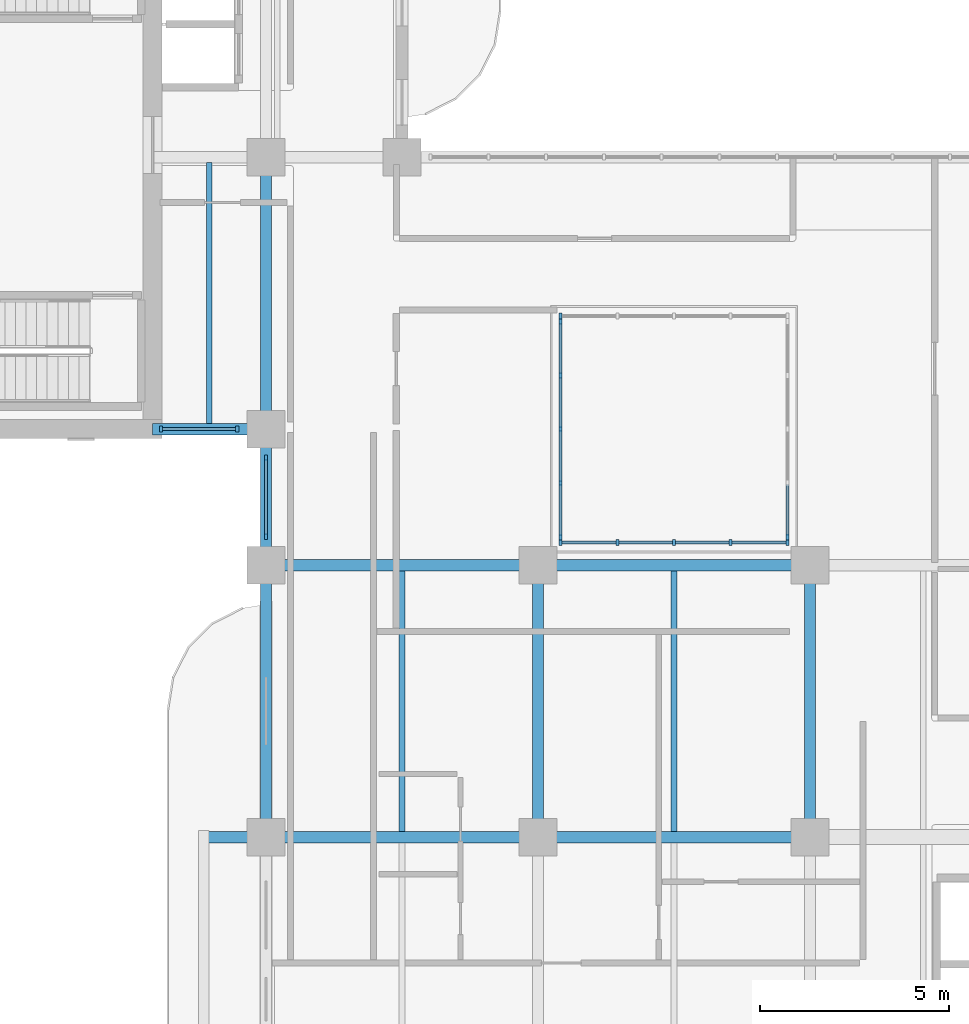
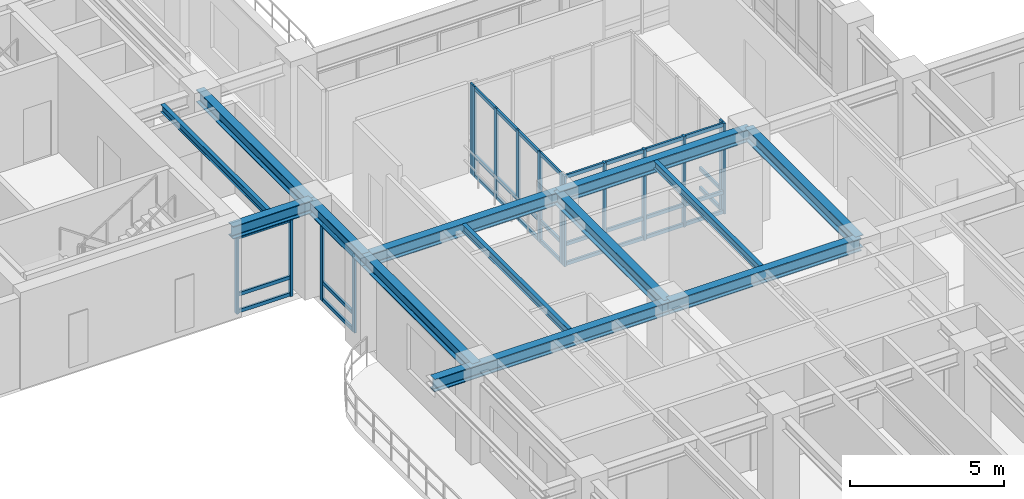
# One storey, part 2 of 21: 48 members, 13 beams, 6 elements without a shape of their own.
"""IFC4 building model written with IfcOpenShell, lengths in metres."""

from ifc_helpers import new_model, si_unit, derived_unit, direction, frame, origin, origin_2d, place, context, subcontext, project, spatial, rectangle, i_section, extrude, source, transform, mapped, material, layer, layer_set, material_profile, profile_set, type_object, type_shapes, element, aggregate, save


model = new_model("IFC4")

# Units and contexts
model_context = context("Model", 3, precision=1e-05, world=origin(), true_north=direction((0.0, 1.0)))
body_context = subcontext(model_context, "Body", "Model", "MODEL_VIEW")
ifc_project = project(units=[si_unit("LENGTHUNIT", "METRE"), si_unit("AREAUNIT", "SQUARE_METRE"), si_unit("VOLUMEUNIT", "CUBIC_METRE"), si_unit("PLANEANGLEUNIT", "RADIAN"), si_unit("MASSUNIT", "GRAM", prefix="KILO"), si_unit("THERMODYNAMICTEMPERATUREUNIT", "KELVIN"), si_unit("POWERUNIT", "WATT"), derived_unit("THERMALTRANSMITTANCEUNIT", [(si_unit("POWERUNIT", "WATT"), 1), (si_unit("AREAUNIT", "SQUARE_METRE"), -1), (si_unit("THERMODYNAMICTEMPERATUREUNIT", "KELVIN"), -1)])], contexts=[model_context])

# Site, building, storey
site_placement = place(None, origin())
site = spatial("IfcSite", under=ifc_project, at=site_placement, CompositionType="ELEMENT")
building_placement = place(site_placement, origin())
building = spatial("IfcBuilding", under=site, at=building_placement, Name="Zahravan Archway Hotel and Residences", CompositionType="ELEMENT")
storey_placement = place(building_placement, frame((0.0, 0.0, 169.550048828125)))
storey = spatial("IfcBuildingStorey", under=building, at=storey_placement, Name="L42", CompositionType="ELEMENT", Elevation=169.550048828125)

# Beams
ifc_material_1 = material(Name="Structural Steel S355JR", Category="steel")
ifc_material_profile_1 = material_profile(ifc_material_1, i_section(OverallWidth=0.300048828125, OverallDepth=0.5, WebThickness=0.014404296875, FlangeThickness=0.028076171875, FilletRadius=0.027099609375, at=origin_2d()), Name="HEB 500", Category="steel")
ifc_profile_set_1 = profile_set([ifc_material_profile_1], Name="Structural Steel S355JR")
beam_type_1 = type_object("IfcBeamType", Name="BM-PRI-HEB500", PredefinedType="BEAM", material=ifc_profile_set_1)
shared_shape_1 = source(origin(), body_context, "Body", "SweptSolid", [
    extrude(i_section(OverallWidth=0.300048828125, OverallDepth=0.5, WebThickness=0.014404296875, FlangeThickness=0.028076171875, FilletRadius=0.027099609375, at=origin_2d()), origin(), (0.0, 0.0, 1.0), 7.2001953125),
])
type_shapes(beam_type_1, [shared_shape_1])
for number, where, z_axis, x_axis, name in (
    (1, (14.39990234375, 21.60009765625, 3.349853515625), (1.0, 0.0, 0.0), (0.0, 1.0, 0.0), "L42 Primary Girder EW-11"),
    (2, (14.39990234375, 14.39990234375, 3.349853515625), (0.0, 1.0, 0.0), (-1.0, 0.0, 0.0), "L42 Primary Girder NS-30"),
    (3, (21.60009765625, 14.39990234375, 3.349853515625), (0.0, 1.0, 0.0), (-1.0, 0.0, 0.0), "L42 Primary Girder NS-37"),
    (4, (28.800048828125, 14.39990234375, 3.349853515625), (0.0, 1.0, 0.0), (-1.0, 0.0, 0.0), "L42 Primary Girder NS-40"),
):
    element("IfcBeam", number, at=place(storey_placement, frame(where, z_axis=z_axis, x_axis=x_axis)), inside=storey, type_object=beam_type_1, Name=name, PredefinedType="BEAM", context=body_context, shape_type="MappedRepresentation", body=[
        mapped(shared_shape_1, transform((0.0, 0.0, 0.0), scale=1.0)),
    ])
shared_shape_2 = source(origin(), body_context, "Body", "SweptSolid", [
    extrude(i_section(OverallWidth=0.300048828125, OverallDepth=0.5, WebThickness=0.014404296875, FlangeThickness=0.028076171875, FilletRadius=0.027099609375, at=origin_2d()), origin(), (0.0, 0.0, 1.0), 7.199951171875),
])
for number, where, z_axis, x_axis, name in (
    (5, (21.60009765625, 14.39990234375, 3.349853515625), (1.0, 0.0, 0.0), (0.0, 1.0, 0.0), "L42 Primary Girder EW-10"),
    (6, (21.60009765625, 21.60009765625, 3.349853515625), (1.0, 0.0, 0.0), (0.0, 1.0, 0.0), "L42 Primary Girder EW-12"),
    (7, (14.39990234375, 25.199951171875, 3.349853515625), (0.0, 1.0, 0.0), (-1.0, 0.0, 0.0), "L42 Primary Girder NS-32"),
):
    element("IfcBeam", number, at=place(storey_placement, frame(where, z_axis=z_axis, x_axis=x_axis)), inside=storey, type_object=beam_type_1, Name=name, PredefinedType="BEAM", context=body_context, shape_type="MappedRepresentation", body=[
        mapped(shared_shape_2, transform((0.0, 0.0, 0.0), scale=1.0)),
    ])
shared_shape_3 = source(origin(), body_context, "Body", "SweptSolid", [
    extrude(i_section(OverallWidth=0.300048828125, OverallDepth=0.5, WebThickness=0.014404296875, FlangeThickness=0.028076171875, FilletRadius=0.027099609375, at=origin_2d()), origin(), (0.0, 0.0, 1.0), 3.0),
])
beam_1_placement = place(storey_placement, frame((11.39990234375, 25.199951171875, 3.349853515625), z_axis=(1.0, 0.0, 0.0), x_axis=(0.0, 1.0, 0.0)))
element("IfcBeam", 8, at=beam_1_placement, inside=storey, type_object=beam_type_1, Name="L42 Primary Girder EW-16", PredefinedType="BEAM", context=body_context, shape_type="MappedRepresentation", body=[
    mapped(shared_shape_3, transform((0.0, 0.0, 0.0), scale=1.0)),
])
shared_shape_4 = source(origin(), body_context, "Body", "SweptSolid", [
    extrude(i_section(OverallWidth=0.300048828125, OverallDepth=0.5, WebThickness=0.014404296875, FlangeThickness=0.028076171875, FilletRadius=0.027099609375, at=origin_2d()), origin(), (0.0, 0.0, 1.0), 3.599853515625),
])
beam_2_placement = place(storey_placement, frame((14.39990234375, 21.60009765625, 3.349853515625), z_axis=(0.0, 1.0, 0.0), x_axis=(-1.0, 0.0, 0.0)))
element("IfcBeam", 9, at=beam_2_placement, inside=storey, type_object=beam_type_1, Name="L42 Primary Girder NS-31", PredefinedType="BEAM", context=body_context, shape_type="MappedRepresentation", body=[
    mapped(shared_shape_4, transform((0.0, 0.0, 0.0), scale=1.0)),
])
shared_shape_5 = source(origin(), body_context, "Body", "SweptSolid", [
    extrude(i_section(OverallWidth=0.300048828125, OverallDepth=0.5, WebThickness=0.014404296875, FlangeThickness=0.028076171875, FilletRadius=0.027099609375, at=origin_2d()), origin(), (0.0, 0.0, 1.0), 8.85009765625),
])
beam_3_placement = place(storey_placement, frame((12.75, 14.39990234375, 3.349853515625), z_axis=(1.0, 0.0, 0.0), x_axis=(0.0, 1.0, 0.0)))
element("IfcBeam", 10, at=beam_3_placement, inside=storey, type_object=beam_type_1, Name="L42 Primary Girder EW-09", PredefinedType="BEAM", context=body_context, shape_type="MappedRepresentation", body=[
    mapped(shared_shape_5, transform((0.0, 0.0, 0.0), scale=1.0)),
])
ifc_material_profile_2 = material_profile(ifc_material_1, i_section(OverallWidth=0.14990234375, OverallDepth=0.300048828125, WebThickness=0.007080078125, FlangeThickness=0.0107421875, FilletRadius=0.014892578125, at=origin_2d()), Name="IPE 300", Category="steel")
ifc_profile_set_2 = profile_set([ifc_material_profile_2], Name="Structural Steel S355JR")
beam_type_2 = type_object("IfcBeamType", Name="BM-JST-IPE300", PredefinedType="JOIST", material=ifc_profile_set_2)
shared_shape_6 = source(origin(), body_context, "Body", "SweptSolid", [
    extrude(i_section(OverallWidth=0.14990234375, OverallDepth=0.300048828125, WebThickness=0.007080078125, FlangeThickness=0.0107421875, FilletRadius=0.014892578125, at=origin_2d()), origin(), (0.0, 0.0, 1.0), 6.904052734375),
])
type_shapes(beam_type_2, [shared_shape_6])
beam_4_placement = place(storey_placement, frame((12.89990234375, 25.347900390625, 3.449951171875), z_axis=(0.0, 1.0, 0.0), x_axis=(-1.0, 0.0, 0.0)))
element("IfcBeam", 11, at=beam_4_placement, inside=storey, type_object=beam_type_2, Name="L42 Composite Floor Joist 10", PredefinedType="JOIST", context=body_context, shape_type="MappedRepresentation", body=[
    mapped(shared_shape_6, transform((0.0, 0.0, 0.0), scale=1.0)),
])
shared_shape_7 = source(origin(), body_context, "Body", "SweptSolid", [
    extrude(i_section(OverallWidth=0.14990234375, OverallDepth=0.300048828125, WebThickness=0.007080078125, FlangeThickness=0.0107421875, FilletRadius=0.014892578125, at=origin_2d()), origin(), (0.0, 0.0, 1.0), 6.90380859375),
])
for number, where, z_axis, x_axis, name in (
    (12, (18.0, 14.548095703125, 3.449951171875), (0.0, 1.0, 0.0), (-1.0, 0.0, 0.0), "L42 Composite Floor Joist 08"),
    (13, (25.199951171875, 14.548095703125, 3.449951171875), (0.0, 1.0, 0.0), (-1.0, 0.0, 0.0), "L42 Composite Floor Joist 09"),
):
    element("IfcBeam", number, at=place(storey_placement, frame(where, z_axis=z_axis, x_axis=x_axis)), inside=storey, type_object=beam_type_2, Name=name, PredefinedType="JOIST", context=body_context, shape_type="MappedRepresentation", body=[
        mapped(shared_shape_7, transform((0.0, 0.0, 0.0), scale=1.0)),
    ])

# Curtain wall, members
ifc_material_2 = material(Name="Bronze-Anodized Unitised Aluminium & Low-E Glass", Category="aluminium")
ifc_layer = layer(ifc_material_2, 0.179931640625, Name="Bronze-Anodized Unitised Aluminium & Low-E Glass", Category="aluminium")
ifc_layer_set = layer_set([ifc_layer], Name="Bronze-Anodized Unitised Aluminium & Low-E Glass")
curtain_wall_type = type_object("IfcCurtainWallType", Name="CW-ATR-GLAZ", PredefinedType="NOTDEFINED", material=ifc_layer_set)
curtain_wall_1_placement = place(storey_placement, origin())
curtain_wall_1 = element("IfcCurtainWall", 14, at=curtain_wall_1_placement, inside=storey, type_object=curtain_wall_type, Name="L42 Curtain Wall CW-L42-WB-SE-1", PredefinedType="NOTDEFINED")
ifc_material_3 = material(Name="Bronze-Anodized Extruded Aluminium", Category="aluminium")
ifc_material_profile_3 = material_profile(ifc_material_3, rectangle(XDim=0.080078125, YDim=0.139892578125, at=origin_2d()), Name="TRN 80x140", Category="aluminium")
ifc_profile_set_3 = profile_set([ifc_material_profile_3], Name="Bronze-Anodized Extruded Aluminium")
member_type_1 = type_object("IfcMemberType", Name="CWM-TRN-140", PredefinedType="USERDEFINED", material=ifc_profile_set_3)
shared_shape_8 = source(origin(), body_context, "Body", "SweptSolid", [
    extrude(rectangle(XDim=0.080078125, YDim=0.139892578125, at=origin_2d()), origin(), (0.0, 0.0, 1.0), 1.940185546875),
])
member_1_placement = place(storey_placement, frame((11.659912109375, 25.199951171875, 0.070068359375), z_axis=(1.0, 0.0, 0.0), x_axis=(0.0, 1.0, 0.0)))
member_1 = element("IfcMember", 15, at=member_1_placement, type_object=member_type_1, Name="CW-L42-WB-SE-1 Transom 0-1", ObjectType="TRANSOM", PredefinedType="USERDEFINED", context=body_context, shape_type="MappedRepresentation", body=[
    mapped(shared_shape_8, transform((0.0, 0.0, 0.0), scale=1.0)),
])
member_2_placement = place(storey_placement, frame((11.659912109375, 25.199951171875, 0.740234375), z_axis=(1.0, 0.0, 0.0), x_axis=(0.0, 1.0, 0.0)))
member_2 = element("IfcMember", 16, at=member_2_placement, type_object=member_type_1, Name="CW-L42-WB-SE-1 Transom 0-2", ObjectType="TRANSOM", PredefinedType="USERDEFINED", context=body_context, shape_type="MappedRepresentation", body=[
    mapped(shared_shape_8, transform((0.0, 0.0, 0.0), scale=1.0)),
])
member_3_placement = place(storey_placement, frame((11.659912109375, 25.199951171875, 3.014892578125), z_axis=(1.0, 0.0, 0.0), x_axis=(0.0, 1.0, 0.0)))
member_3 = element("IfcMember", 17, at=member_3_placement, type_object=member_type_1, Name="CW-L42-WB-SE-1 Transom 0-3", ObjectType="TRANSOM", PredefinedType="USERDEFINED", context=body_context, shape_type="MappedRepresentation", body=[
    mapped(shared_shape_8, transform((0.0, 0.0, 0.0), scale=1.0)),
])

curtain_wall_2_placement = place(storey_placement, origin())
curtain_wall_2 = element("IfcCurtainWall", 18, at=curtain_wall_2_placement, inside=storey, type_object=curtain_wall_type, Name="L42 Curtain Wall CW-L42-WA-WLU-1", PredefinedType="NOTDEFINED")
shared_shape_9 = source(origin(), body_context, "Body", "SweptSolid", [
    extrude(rectangle(XDim=0.080078125, YDim=0.139892578125, at=origin_2d()), origin(), (0.0, 0.0, 1.0), 2.0),
])
member_4_placement = place(storey_placement, frame((14.39990234375, 22.39990234375, 0.070068359375), z_axis=(0.0, 1.0, 0.0), x_axis=(-1.0, 0.0, 0.0)))
member_4 = element("IfcMember", 19, at=member_4_placement, type_object=member_type_1, Name="CW-L42-WA-WLU-1 Transom 0-1", ObjectType="TRANSOM", PredefinedType="USERDEFINED", context=body_context, shape_type="MappedRepresentation", body=[
    mapped(shared_shape_9, transform((0.0, 0.0, 0.0), scale=1.0)),
])
member_5_placement = place(storey_placement, frame((14.39990234375, 22.39990234375, 0.740234375), z_axis=(0.0, 1.0, 0.0), x_axis=(-1.0, 0.0, 0.0)))
member_5 = element("IfcMember", 20, at=member_5_placement, type_object=member_type_1, Name="CW-L42-WA-WLU-1 Transom 0-2", ObjectType="TRANSOM", PredefinedType="USERDEFINED", context=body_context, shape_type="MappedRepresentation", body=[
    mapped(shared_shape_9, transform((0.0, 0.0, 0.0), scale=1.0)),
])
member_6_placement = place(storey_placement, frame((14.39990234375, 22.39990234375, 3.014892578125), z_axis=(0.0, 1.0, 0.0), x_axis=(-1.0, 0.0, 0.0)))
member_6 = element("IfcMember", 21, at=member_6_placement, type_object=member_type_1, Name="CW-L42-WA-WLU-1 Transom 0-3", ObjectType="TRANSOM", PredefinedType="USERDEFINED", context=body_context, shape_type="MappedRepresentation", body=[
    mapped(shared_shape_9, transform((0.0, 0.0, 0.0), scale=1.0)),
])

curtain_wall_3_placement = place(storey_placement, origin())
curtain_wall_3 = element("IfcCurtainWall", 22, at=curtain_wall_3_placement, inside=storey, type_object=curtain_wall_type, Name="L42 Curtain Wall CW-ATR-L42-S-1", PredefinedType="NOTDEFINED")
shared_shape_10 = source(origin(), body_context, "Body", "SweptSolid", [
    extrude(rectangle(XDim=0.080078125, YDim=0.139892578125, at=origin_2d()), origin(), (0.0, 0.0, 1.0), 1.419921875),
])
member_7_placement = place(storey_placement, frame((22.239990234375, 22.199951171875, 0.070068359375), z_axis=(1.0, 0.0, 0.0), x_axis=(0.0, 1.0, 0.0)))
member_7 = element("IfcMember", 23, at=member_7_placement, type_object=member_type_1, Name="CW-ATR-L42-S-1 Transom 0-1", ObjectType="TRANSOM", PredefinedType="USERDEFINED", context=body_context, shape_type="MappedRepresentation", body=[
    mapped(shared_shape_10, transform((0.0, 0.0, 0.0), scale=1.0)),
])
member_8_placement = place(storey_placement, frame((22.239990234375, 22.199951171875, 0.849853515625), z_axis=(1.0, 0.0, 0.0), x_axis=(0.0, 1.0, 0.0)))
member_8 = element("IfcMember", 24, at=member_8_placement, type_object=member_type_1, Name="CW-ATR-L42-S-1 Transom 0-2", ObjectType="TRANSOM", PredefinedType="USERDEFINED", context=body_context, shape_type="MappedRepresentation", body=[
    mapped(shared_shape_10, transform((0.0, 0.0, 0.0), scale=1.0)),
])
member_9_placement = place(storey_placement, frame((22.239990234375, 22.199951171875, 3.530029296875), z_axis=(1.0, 0.0, 0.0), x_axis=(0.0, 1.0, 0.0)))
member_9 = element("IfcMember", 25, at=member_9_placement, type_object=member_type_1, Name="CW-ATR-L42-S-1 Transom 0-3", ObjectType="TRANSOM", PredefinedType="USERDEFINED", context=body_context, shape_type="MappedRepresentation", body=[
    mapped(shared_shape_10, transform((0.0, 0.0, 0.0), scale=1.0)),
])
member_10_placement = place(storey_placement, frame((23.739990234375, 22.199951171875, 0.070068359375), z_axis=(1.0, 0.0, 0.0), x_axis=(0.0, 1.0, 0.0)))
member_10 = element("IfcMember", 26, at=member_10_placement, type_object=member_type_1, Name="CW-ATR-L42-S-1 Transom 1-1", ObjectType="TRANSOM", PredefinedType="USERDEFINED", context=body_context, shape_type="MappedRepresentation", body=[
    mapped(shared_shape_10, transform((0.0, 0.0, 0.0), scale=1.0)),
])
member_11_placement = place(storey_placement, frame((23.739990234375, 22.199951171875, 0.849853515625), z_axis=(1.0, 0.0, 0.0), x_axis=(0.0, 1.0, 0.0)))
member_11 = element("IfcMember", 27, at=member_11_placement, type_object=member_type_1, Name="CW-ATR-L42-S-1 Transom 1-2", ObjectType="TRANSOM", PredefinedType="USERDEFINED", context=body_context, shape_type="MappedRepresentation", body=[
    mapped(shared_shape_10, transform((0.0, 0.0, 0.0), scale=1.0)),
])
member_12_placement = place(storey_placement, frame((23.739990234375, 22.199951171875, 3.530029296875), z_axis=(1.0, 0.0, 0.0), x_axis=(0.0, 1.0, 0.0)))
member_12 = element("IfcMember", 28, at=member_12_placement, type_object=member_type_1, Name="CW-ATR-L42-S-1 Transom 1-3", ObjectType="TRANSOM", PredefinedType="USERDEFINED", context=body_context, shape_type="MappedRepresentation", body=[
    mapped(shared_shape_10, transform((0.0, 0.0, 0.0), scale=1.0)),
])
member_13_placement = place(storey_placement, frame((25.239990234375, 22.199951171875, 0.070068359375), z_axis=(1.0, 0.0, 0.0), x_axis=(0.0, 1.0, 0.0)))
member_13 = element("IfcMember", 29, at=member_13_placement, type_object=member_type_1, Name="CW-ATR-L42-S-1 Transom 2-1", ObjectType="TRANSOM", PredefinedType="USERDEFINED", context=body_context, shape_type="MappedRepresentation", body=[
    mapped(shared_shape_10, transform((0.0, 0.0, 0.0), scale=1.0)),
])
member_14_placement = place(storey_placement, frame((25.239990234375, 22.199951171875, 0.849853515625), z_axis=(1.0, 0.0, 0.0), x_axis=(0.0, 1.0, 0.0)))
member_14 = element("IfcMember", 30, at=member_14_placement, type_object=member_type_1, Name="CW-ATR-L42-S-1 Transom 2-2", ObjectType="TRANSOM", PredefinedType="USERDEFINED", context=body_context, shape_type="MappedRepresentation", body=[
    mapped(shared_shape_10, transform((0.0, 0.0, 0.0), scale=1.0)),
])
member_15_placement = place(storey_placement, frame((25.239990234375, 22.199951171875, 3.530029296875), z_axis=(1.0, 0.0, 0.0), x_axis=(0.0, 1.0, 0.0)))
member_15 = element("IfcMember", 31, at=member_15_placement, type_object=member_type_1, Name="CW-ATR-L42-S-1 Transom 2-3", ObjectType="TRANSOM", PredefinedType="USERDEFINED", context=body_context, shape_type="MappedRepresentation", body=[
    mapped(shared_shape_10, transform((0.0, 0.0, 0.0), scale=1.0)),
])
member_16_placement = place(storey_placement, frame((26.739990234375, 22.199951171875, 0.070068359375), z_axis=(1.0, 0.0, 0.0), x_axis=(0.0, 1.0, 0.0)))
member_16 = element("IfcMember", 32, at=member_16_placement, type_object=member_type_1, Name="CW-ATR-L42-S-1 Transom 3-1", ObjectType="TRANSOM", PredefinedType="USERDEFINED", context=body_context, shape_type="MappedRepresentation", body=[
    mapped(shared_shape_10, transform((0.0, 0.0, 0.0), scale=1.0)),
])
member_17_placement = place(storey_placement, frame((26.739990234375, 22.199951171875, 0.849853515625), z_axis=(1.0, 0.0, 0.0), x_axis=(0.0, 1.0, 0.0)))
member_17 = element("IfcMember", 33, at=member_17_placement, type_object=member_type_1, Name="CW-ATR-L42-S-1 Transom 3-2", ObjectType="TRANSOM", PredefinedType="USERDEFINED", context=body_context, shape_type="MappedRepresentation", body=[
    mapped(shared_shape_10, transform((0.0, 0.0, 0.0), scale=1.0)),
])
member_18_placement = place(storey_placement, frame((26.739990234375, 22.199951171875, 3.530029296875), z_axis=(1.0, 0.0, 0.0), x_axis=(0.0, 1.0, 0.0)))
member_18 = element("IfcMember", 34, at=member_18_placement, type_object=member_type_1, Name="CW-ATR-L42-S-1 Transom 3-3", ObjectType="TRANSOM", PredefinedType="USERDEFINED", context=body_context, shape_type="MappedRepresentation", body=[
    mapped(shared_shape_10, transform((0.0, 0.0, 0.0), scale=1.0)),
])

curtain_wall_4_placement = place(storey_placement, origin())
curtain_wall_4 = element("IfcCurtainWall", 35, at=curtain_wall_4_placement, inside=storey, type_object=curtain_wall_type, Name="L42 Curtain Wall CW-ATR-L42-W-1", PredefinedType="NOTDEFINED")
shared_shape_11 = source(origin(), body_context, "Body", "SweptSolid", [
    extrude(rectangle(XDim=0.080078125, YDim=0.139892578125, at=origin_2d()), origin(), (0.0, 0.0, 1.0), 1.34521484375),
])
member_19_placement = place(storey_placement, frame((22.199951171875, 22.389892578125, 0.070068359375), z_axis=(0.0, 1.0, 0.0), x_axis=(-1.0, 0.0, 0.0)))
member_19 = element("IfcMember", 36, at=member_19_placement, type_object=member_type_1, Name="CW-ATR-L42-W-1 Transom 0-1", ObjectType="TRANSOM", PredefinedType="USERDEFINED", context=body_context, shape_type="MappedRepresentation", body=[
    mapped(shared_shape_11, transform((0.0, 0.0, 0.0), scale=1.0)),
])
member_20_placement = place(storey_placement, frame((22.199951171875, 22.389892578125, 0.849853515625), z_axis=(0.0, 1.0, 0.0), x_axis=(-1.0, 0.0, 0.0)))
member_20 = element("IfcMember", 37, at=member_20_placement, type_object=member_type_1, Name="CW-ATR-L42-W-1 Transom 0-2", ObjectType="TRANSOM", PredefinedType="USERDEFINED", context=body_context, shape_type="MappedRepresentation", body=[
    mapped(shared_shape_11, transform((0.0, 0.0, 0.0), scale=1.0)),
])
member_21_placement = place(storey_placement, frame((22.199951171875, 22.389892578125, 3.530029296875), z_axis=(0.0, 1.0, 0.0), x_axis=(-1.0, 0.0, 0.0)))
member_21 = element("IfcMember", 38, at=member_21_placement, type_object=member_type_1, Name="CW-ATR-L42-W-1 Transom 0-3", ObjectType="TRANSOM", PredefinedType="USERDEFINED", context=body_context, shape_type="MappedRepresentation", body=[
    mapped(shared_shape_11, transform((0.0, 0.0, 0.0), scale=1.0)),
])

curtain_wall_5_placement = place(storey_placement, origin())
curtain_wall_5 = element("IfcCurtainWall", 39, at=curtain_wall_5_placement, inside=storey, type_object=curtain_wall_type, Name="L42 Curtain Wall CW-ATR-L42-E-1", PredefinedType="NOTDEFINED")
member_22_placement = place(storey_placement, frame((28.199951171875, 22.389892578125, 0.070068359375), z_axis=(0.0, 1.0, 0.0), x_axis=(-1.0, 0.0, 0.0)))
member_22 = element("IfcMember", 40, at=member_22_placement, type_object=member_type_1, Name="CW-ATR-L42-E-1 Transom 0-1", ObjectType="TRANSOM", PredefinedType="USERDEFINED", context=body_context, shape_type="MappedRepresentation", body=[
    mapped(shared_shape_11, transform((0.0, 0.0, 0.0), scale=1.0)),
])
member_23_placement = place(storey_placement, frame((28.199951171875, 22.389892578125, 0.849853515625), z_axis=(0.0, 1.0, 0.0), x_axis=(-1.0, 0.0, 0.0)))
member_23 = element("IfcMember", 41, at=member_23_placement, type_object=member_type_1, Name="CW-ATR-L42-E-1 Transom 0-2", ObjectType="TRANSOM", PredefinedType="USERDEFINED", context=body_context, shape_type="MappedRepresentation", body=[
    mapped(shared_shape_11, transform((0.0, 0.0, 0.0), scale=1.0)),
])

# Member
shared_shape_12 = source(origin(), body_context, "Body", "SweptSolid", [
    extrude(rectangle(XDim=0.080078125, YDim=0.139892578125, at=origin_2d()), origin(), (0.0, 0.0, 1.0), 1.344970703125),
])
member_24_placement = place(storey_placement, frame((22.199951171875, 23.81494140625, 0.070068359375), z_axis=(0.0, 1.0, 0.0), x_axis=(-1.0, 0.0, 0.0)))
member_24 = element("IfcMember", 42, at=member_24_placement, type_object=member_type_1, Name="CW-ATR-L42-W-1 Transom 1-1", ObjectType="TRANSOM", PredefinedType="USERDEFINED", context=body_context, shape_type="MappedRepresentation", body=[
    mapped(shared_shape_12, transform((0.0, 0.0, 0.0), scale=1.0)),
])

member_25_placement = place(storey_placement, frame((22.199951171875, 23.81494140625, 0.849853515625), z_axis=(0.0, 1.0, 0.0), x_axis=(-1.0, 0.0, 0.0)))
member_25 = element("IfcMember", 43, at=member_25_placement, type_object=member_type_1, Name="CW-ATR-L42-W-1 Transom 1-2", ObjectType="TRANSOM", PredefinedType="USERDEFINED", context=body_context, shape_type="MappedRepresentation", body=[
    mapped(shared_shape_12, transform((0.0, 0.0, 0.0), scale=1.0)),
])

member_26_placement = place(storey_placement, frame((22.199951171875, 23.81494140625, 3.530029296875), z_axis=(0.0, 1.0, 0.0), x_axis=(-1.0, 0.0, 0.0)))
member_26 = element("IfcMember", 44, at=member_26_placement, type_object=member_type_1, Name="CW-ATR-L42-W-1 Transom 1-3", ObjectType="TRANSOM", PredefinedType="USERDEFINED", context=body_context, shape_type="MappedRepresentation", body=[
    mapped(shared_shape_12, transform((0.0, 0.0, 0.0), scale=1.0)),
])

member_27_placement = place(storey_placement, frame((22.199951171875, 25.239990234375, 0.070068359375), z_axis=(0.0, 1.0, 0.0), x_axis=(-1.0, 0.0, 0.0)))
member_27 = element("IfcMember", 45, at=member_27_placement, type_object=member_type_1, Name="CW-ATR-L42-W-1 Transom 2-1", ObjectType="TRANSOM", PredefinedType="USERDEFINED", context=body_context, shape_type="MappedRepresentation", body=[
    mapped(shared_shape_12, transform((0.0, 0.0, 0.0), scale=1.0)),
])

member_28_placement = place(storey_placement, frame((22.199951171875, 25.239990234375, 0.849853515625), z_axis=(0.0, 1.0, 0.0), x_axis=(-1.0, 0.0, 0.0)))
member_28 = element("IfcMember", 46, at=member_28_placement, type_object=member_type_1, Name="CW-ATR-L42-W-1 Transom 2-2", ObjectType="TRANSOM", PredefinedType="USERDEFINED", context=body_context, shape_type="MappedRepresentation", body=[
    mapped(shared_shape_12, transform((0.0, 0.0, 0.0), scale=1.0)),
])

member_29_placement = place(storey_placement, frame((22.199951171875, 25.239990234375, 3.530029296875), z_axis=(0.0, 1.0, 0.0), x_axis=(-1.0, 0.0, 0.0)))
member_29 = element("IfcMember", 47, at=member_29_placement, type_object=member_type_1, Name="CW-ATR-L42-W-1 Transom 2-3", ObjectType="TRANSOM", PredefinedType="USERDEFINED", context=body_context, shape_type="MappedRepresentation", body=[
    mapped(shared_shape_12, transform((0.0, 0.0, 0.0), scale=1.0)),
])

member_30_placement = place(storey_placement, frame((22.199951171875, 26.6650390625, 0.070068359375), z_axis=(0.0, 1.0, 0.0), x_axis=(-1.0, 0.0, 0.0)))
member_30 = element("IfcMember", 48, at=member_30_placement, type_object=member_type_1, Name="CW-ATR-L42-W-1 Transom 3-1", ObjectType="TRANSOM", PredefinedType="USERDEFINED", context=body_context, shape_type="MappedRepresentation", body=[
    mapped(shared_shape_12, transform((0.0, 0.0, 0.0), scale=1.0)),
])

member_31_placement = place(storey_placement, frame((22.199951171875, 26.6650390625, 0.849853515625), z_axis=(0.0, 1.0, 0.0), x_axis=(-1.0, 0.0, 0.0)))
member_31 = element("IfcMember", 49, at=member_31_placement, type_object=member_type_1, Name="CW-ATR-L42-W-1 Transom 3-2", ObjectType="TRANSOM", PredefinedType="USERDEFINED", context=body_context, shape_type="MappedRepresentation", body=[
    mapped(shared_shape_12, transform((0.0, 0.0, 0.0), scale=1.0)),
])

member_32_placement = place(storey_placement, frame((22.199951171875, 26.6650390625, 3.530029296875), z_axis=(0.0, 1.0, 0.0), x_axis=(-1.0, 0.0, 0.0)))
member_32 = element("IfcMember", 50, at=member_32_placement, type_object=member_type_1, Name="CW-ATR-L42-W-1 Transom 3-3", ObjectType="TRANSOM", PredefinedType="USERDEFINED", context=body_context, shape_type="MappedRepresentation", body=[
    mapped(shared_shape_12, transform((0.0, 0.0, 0.0), scale=1.0)),
])

ifc_material_profile_4 = material_profile(ifc_material_3, rectangle(XDim=0.080078125, YDim=0.159912109375, at=origin_2d()), Name="MUL 80x160", Category="aluminium")
ifc_profile_set_4 = profile_set([ifc_material_profile_4], Name="Bronze-Anodized Extruded Aluminium")
member_type_2 = type_object("IfcMemberType", Name="CWM-MUL-160", PredefinedType="MULLION", material=ifc_profile_set_4)
shared_shape_13 = source(origin(), body_context, "Body", "SweptSolid", [
    extrude(rectangle(XDim=0.080078125, YDim=0.159912109375, at=origin_2d()), origin(), (0.0, 0.0, 1.0), 3.0849609375),
])
member_33_placement = place(storey_placement, frame((14.39990234375, 22.360107421875, 0.0), z_axis=(0.0, 0.0, 1.0), x_axis=(1.0, 0.0, 0.0)))
member_33 = element("IfcMember", 51, at=member_33_placement, type_object=member_type_2, Name="CW-L42-WA-WLU-1 Mullion 0", PredefinedType="MULLION", context=body_context, shape_type="MappedRepresentation", body=[
    mapped(shared_shape_13, transform((0.0, 0.0, 0.0), scale=1.0)),
])

member_34_placement = place(storey_placement, frame((14.39990234375, 24.43994140625, 0.0), z_axis=(0.0, 0.0, 1.0), x_axis=(1.0, 0.0, 0.0)))
member_34 = element("IfcMember", 52, at=member_34_placement, type_object=member_type_2, Name="CW-L42-WA-WLU-1 Mullion 1", PredefinedType="MULLION", context=body_context, shape_type="MappedRepresentation", body=[
    mapped(shared_shape_13, transform((0.0, 0.0, 0.0), scale=1.0)),
])

aggregate(curtain_wall_2, [member_33, member_34, member_4, member_5, member_6])

member_35_placement = place(storey_placement, frame((11.6201171875, 25.199951171875, 0.0), z_axis=(0.0, 0.0, 1.0), x_axis=(1.0, 0.0, 0.0)))
member_35 = element("IfcMember", 53, at=member_35_placement, type_object=member_type_2, Name="CW-L42-WB-SE-1 Mullion 0", PredefinedType="MULLION", context=body_context, shape_type="MappedRepresentation", body=[
    mapped(shared_shape_13, transform((0.0, 0.0, 0.0), scale=1.0)),
])

member_36_placement = place(storey_placement, frame((13.639892578125, 25.199951171875, 0.0), z_axis=(0.0, 0.0, 1.0), x_axis=(1.0, 0.0, 0.0)))
member_36 = element("IfcMember", 54, at=member_36_placement, type_object=member_type_2, Name="CW-L42-WB-SE-1 Mullion 1", PredefinedType="MULLION", context=body_context, shape_type="MappedRepresentation", body=[
    mapped(shared_shape_13, transform((0.0, 0.0, 0.0), scale=1.0)),
])

aggregate(curtain_wall_1, [member_35, member_36, member_1, member_2, member_3])

shared_shape_14 = source(origin(), body_context, "Body", "SweptSolid", [
    extrude(rectangle(XDim=0.080078125, YDim=0.159912109375, at=origin_2d()), origin(), (0.0, 0.0, 1.0), 3.599853515625),
])
member_37_placement = place(storey_placement, frame((22.199951171875, 22.199951171875, 0.0), z_axis=(0.0, 0.0, 1.0), x_axis=(1.0, 0.0, 0.0)))
member_37 = element("IfcMember", 55, at=member_37_placement, type_object=member_type_2, Name="CW-ATR-L42-S-1 Mullion 0", PredefinedType="MULLION", context=body_context, shape_type="MappedRepresentation", body=[
    mapped(shared_shape_14, transform((0.0, 0.0, 0.0), scale=1.0)),
])

member_38_placement = place(storey_placement, frame((23.699951171875, 22.199951171875, 0.0), z_axis=(0.0, 0.0, 1.0), x_axis=(1.0, 0.0, 0.0)))
member_38 = element("IfcMember", 56, at=member_38_placement, type_object=member_type_2, Name="CW-ATR-L42-S-1 Mullion 1", PredefinedType="MULLION", context=body_context, shape_type="MappedRepresentation", body=[
    mapped(shared_shape_14, transform((0.0, 0.0, 0.0), scale=1.0)),
])

member_39_placement = place(storey_placement, frame((25.199951171875, 22.199951171875, 0.0), z_axis=(0.0, 0.0, 1.0), x_axis=(1.0, 0.0, 0.0)))
member_39 = element("IfcMember", 57, at=member_39_placement, type_object=member_type_2, Name="CW-ATR-L42-S-1 Mullion 2", PredefinedType="MULLION", context=body_context, shape_type="MappedRepresentation", body=[
    mapped(shared_shape_14, transform((0.0, 0.0, 0.0), scale=1.0)),
])

member_40_placement = place(storey_placement, frame((26.699951171875, 22.199951171875, 0.0), z_axis=(0.0, 0.0, 1.0), x_axis=(1.0, 0.0, 0.0)))
member_40 = element("IfcMember", 58, at=member_40_placement, type_object=member_type_2, Name="CW-ATR-L42-S-1 Mullion 3", PredefinedType="MULLION", context=body_context, shape_type="MappedRepresentation", body=[
    mapped(shared_shape_14, transform((0.0, 0.0, 0.0), scale=1.0)),
])

member_41_placement = place(storey_placement, frame((28.199951171875, 22.199951171875, 0.0), z_axis=(0.0, 0.0, 1.0), x_axis=(1.0, 0.0, 0.0)))
member_41 = element("IfcMember", 59, at=member_41_placement, type_object=member_type_2, Name="CW-ATR-L42-S-1 Mullion 4", PredefinedType="MULLION", context=body_context, shape_type="MappedRepresentation", body=[
    mapped(shared_shape_14, transform((0.0, 0.0, 0.0), scale=1.0)),
])

aggregate(curtain_wall_3, [member_37, member_38, member_39, member_40, member_41, member_7, member_8, member_9, member_10, member_11, member_12, member_13, member_14, member_15, member_16, member_17, member_18])

# Curtain wall, member
curtain_wall_6_placement = place(storey_placement, origin())
curtain_wall_6 = element("IfcCurtainWall", 60, at=curtain_wall_6_placement, inside=storey, type_object=curtain_wall_type, Name="L42 Curtain Wall CW-ATR-L42-N-1", PredefinedType="NOTDEFINED")
member_42_placement = place(storey_placement, frame((22.199951171875, 28.199951171875, 0.0), z_axis=(0.0, 0.0, 1.0), x_axis=(1.0, 0.0, 0.0)))
member_42 = element("IfcMember", 61, at=member_42_placement, type_object=member_type_2, Name="CW-ATR-L42-N-1 Mullion 0", PredefinedType="MULLION", context=body_context, shape_type="MappedRepresentation", body=[
    mapped(shared_shape_14, transform((0.0, 0.0, 0.0), scale=1.0)),
])
aggregate(curtain_wall_6, [member_42])

# Member
member_43_placement = place(storey_placement, frame((22.199951171875, 22.35009765625, 0.0), z_axis=(0.0, 0.0, 1.0), x_axis=(1.0, 0.0, 0.0)))
member_43 = element("IfcMember", 62, at=member_43_placement, type_object=member_type_2, Name="CW-ATR-L42-W-1 Mullion 0", PredefinedType="MULLION", context=body_context, shape_type="MappedRepresentation", body=[
    mapped(shared_shape_14, transform((0.0, 0.0, 0.0), scale=1.0)),
])

member_44_placement = place(storey_placement, frame((22.199951171875, 23.77490234375, 0.0), z_axis=(0.0, 0.0, 1.0), x_axis=(1.0, 0.0, 0.0)))
member_44 = element("IfcMember", 63, at=member_44_placement, type_object=member_type_2, Name="CW-ATR-L42-W-1 Mullion 1", PredefinedType="MULLION", context=body_context, shape_type="MappedRepresentation", body=[
    mapped(shared_shape_14, transform((0.0, 0.0, 0.0), scale=1.0)),
])

member_45_placement = place(storey_placement, frame((22.199951171875, 25.199951171875, 0.0), z_axis=(0.0, 0.0, 1.0), x_axis=(1.0, 0.0, 0.0)))
member_45 = element("IfcMember", 64, at=member_45_placement, type_object=member_type_2, Name="CW-ATR-L42-W-1 Mullion 2", PredefinedType="MULLION", context=body_context, shape_type="MappedRepresentation", body=[
    mapped(shared_shape_14, transform((0.0, 0.0, 0.0), scale=1.0)),
])

member_46_placement = place(storey_placement, frame((22.199951171875, 26.625, 0.0), z_axis=(0.0, 0.0, 1.0), x_axis=(1.0, 0.0, 0.0)))
member_46 = element("IfcMember", 65, at=member_46_placement, type_object=member_type_2, Name="CW-ATR-L42-W-1 Mullion 3", PredefinedType="MULLION", context=body_context, shape_type="MappedRepresentation", body=[
    mapped(shared_shape_14, transform((0.0, 0.0, 0.0), scale=1.0)),
])

member_47_placement = place(storey_placement, frame((22.199951171875, 28.050048828125, 0.0), z_axis=(0.0, 0.0, 1.0), x_axis=(1.0, 0.0, 0.0)))
member_47 = element("IfcMember", 66, at=member_47_placement, type_object=member_type_2, Name="CW-ATR-L42-W-1 Mullion 4", PredefinedType="MULLION", context=body_context, shape_type="MappedRepresentation", body=[
    mapped(shared_shape_14, transform((0.0, 0.0, 0.0), scale=1.0)),
])

aggregate(curtain_wall_4, [member_43, member_44, member_45, member_46, member_47, member_19, member_20, member_21, member_24, member_25, member_26, member_27, member_28, member_29, member_30, member_31, member_32])

member_48_placement = place(storey_placement, frame((28.199951171875, 22.35009765625, 0.0), z_axis=(0.0, 0.0, 1.0), x_axis=(1.0, 0.0, 0.0)))
member_48 = element("IfcMember", 67, at=member_48_placement, type_object=member_type_2, Name="CW-ATR-L42-E-1 Mullion 0", PredefinedType="MULLION", context=body_context, shape_type="MappedRepresentation", body=[
    mapped(shared_shape_14, transform((0.0, 0.0, 0.0), scale=1.0)),
])

aggregate(curtain_wall_5, [member_48, member_22, member_23])

save(model, "model.ifc")
